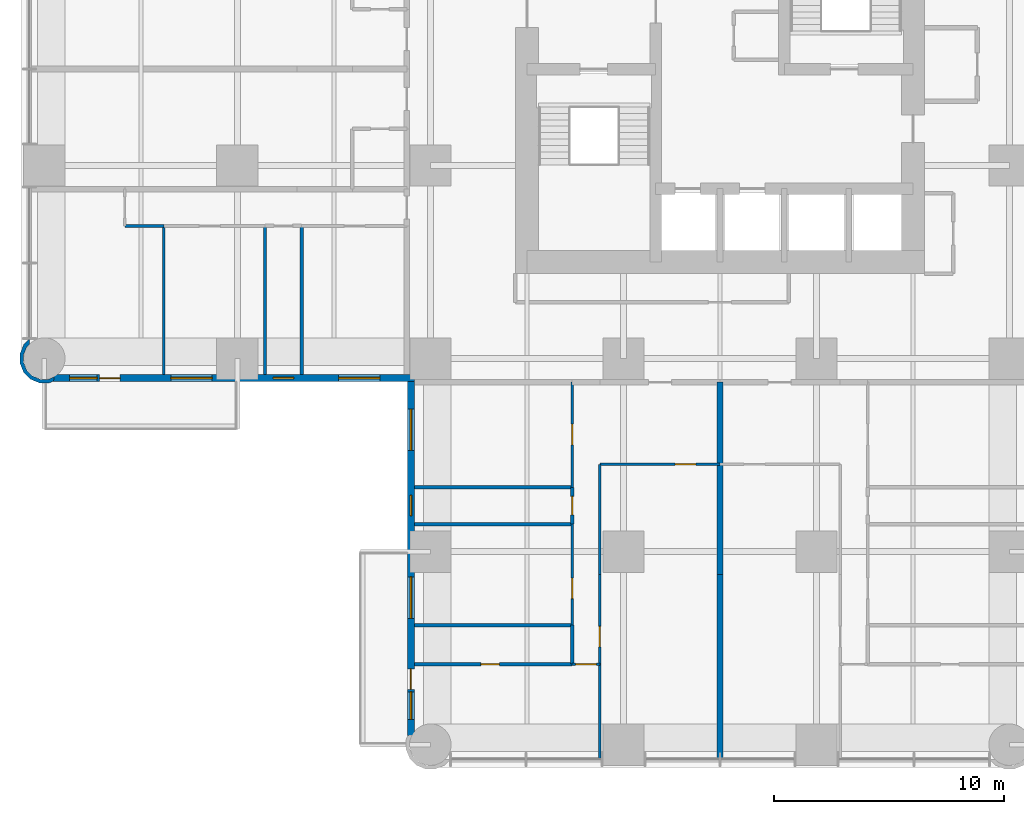
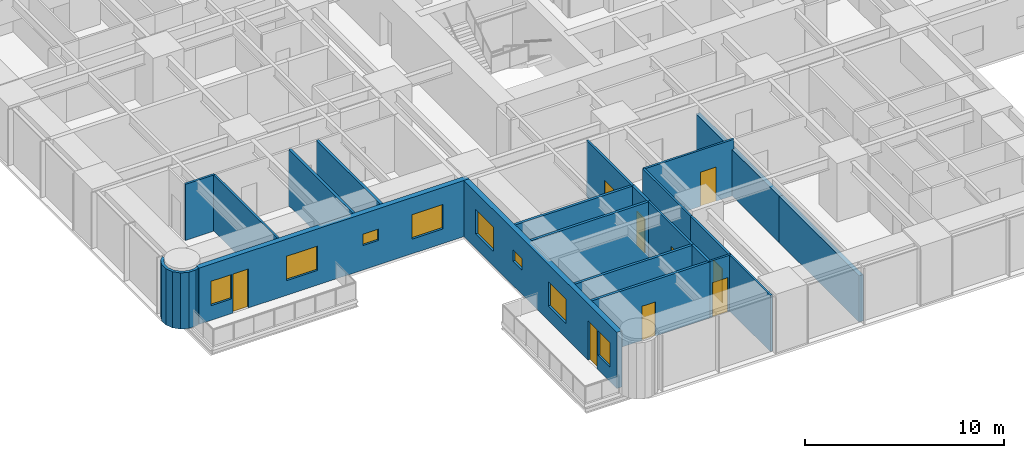
# One storey, part 7 of 17: 23 walls, 9 doors, 8 windows, 17 openings.
"""IFC4 building model written with IfcOpenShell, lengths in metres."""

from ifc_helpers import new_model, si_unit, direction, frame, frame_2d, origin, place, context, subcontext, project, spatial, polyline, rectangle, outline, extrude, material, layer, layer_set, type_object, element, fill, save


model = new_model("IFC4")

# Units and contexts
model_context = context("Model", 3, precision=1e-05, world=origin(), true_north=direction((0.0, 1.0)))
body_context = subcontext(model_context, "Body", "Model", "MODEL_VIEW")
ifc_project = project(units=[si_unit("LENGTHUNIT", "METRE"), si_unit("AREAUNIT", "SQUARE_METRE"), si_unit("VOLUMEUNIT", "CUBIC_METRE"), si_unit("PLANEANGLEUNIT", "RADIAN"), si_unit("MASSUNIT", "GRAM", prefix="KILO")], contexts=[model_context])

# Site, building, storey
site_placement = place(None, origin())
site = spatial("IfcSite", under=ifc_project, at=site_placement, CompositionType="ELEMENT")
building_placement = place(site_placement, origin())
building = spatial("IfcBuilding", under=site, at=building_placement, Name="Torre Alcanfor", CompositionType="ELEMENT")
storey_placement = place(building_placement, frame((0.0, 0.0, 77.699951171875)))
storey = spatial("IfcBuildingStorey", under=building, at=storey_placement, Name="L19", CompositionType="ELEMENT", Elevation=77.699951171875)

# Wall, opening, door
ifc_material_1 = material(Name="Gypsum board on steel studs", Category="steel")
ifc_layer_1 = layer(ifc_material_1, 0.1201171875)
ifc_layer_set_1 = layer_set([ifc_layer_1], Name="Apartment partition 120")
wall_type_1 = type_object("IfcWallType", Name="Apartment partition 120", PredefinedType="PARTITIONING", material=ifc_layer_set_1)
wall_1_placement = place(storey_placement, frame((29.39990234375, 12.199951171875, 0.0), z_axis=(0.0, 0.0, 1.0), x_axis=(-1.0, 0.0, 0.0)))
wall_1 = element("IfcWall", 1, at=wall_1_placement, inside=storey, type_object=wall_type_1, Name="Partition L19-S2-ZAG / L19-S2-KITCHEN", PredefinedType="PARTITIONING", context=body_context, shape_type="SweptSolid", body=[
    extrude(rectangle(XDim=5.22900390625, YDim=0.1201171875, at=frame_2d((2.614501953125, 0.0))), origin(), (0.0, 0.0, 1.0), 3.449951171875),
])
opening_1_placement = place(wall_1_placement, frame((1.050048828125, 0.0, 0.0)))
opening_1 = element("IfcOpeningElement", 2, at=opening_1_placement, cuts=wall_1, Name="Opening D-R1", PredefinedType="OPENING", context=body_context, shape_type="SweptSolid", body=[
    extrude(rectangle(XDim=0.89990234375, YDim=2.10009765625, at=frame_2d((0.449951171875, 1.050048828125))), frame((0.0, 0.070068359375, 0.0), z_axis=(0.0, -1.0, 0.0), x_axis=(1.0, 0.0, 0.0)), (0.0, 0.0, 1.0), 0.14013671875),
])
ifc_material_2 = material(Name="Timber", Category="wood")
door_type_1 = type_object("IfcDoorType", Name="Internal door 900x2100", OperationType="SINGLE_SWING_LEFT", PredefinedType="DOOR", material=ifc_material_2)
door_1_placement = place(opening_1_placement, origin())
door_1 = element("IfcDoor", 3, at=door_1_placement, inside=storey, type_object=door_type_1, Name="Door L19-S2 kitchen", OperationType="SINGLE_SWING_LEFT", OverallHeight=2.10009765625, OverallWidth=0.89990234375, PredefinedType="DOOR", context=body_context, shape_type="SweptSolid", body=[
    extrude(rectangle(XDim=0.89990234375, YDim=2.10009765625, at=frame_2d((0.449951171875, 1.050048828125))), frame((0.0, 0.02490234375, 0.0), z_axis=(0.0, -1.0, 0.0), x_axis=(1.0, 0.0, 0.0)), (0.0, 0.0, 1.0), 0.050048828125),
])
fill(opening_1, door_1)

# Wall
wall_2_placement = place(storey_placement, frame((24.1708984375, 7.39990234375, 0.0), z_axis=(0.0, 0.0, 1.0), x_axis=(0.0, 1.0, 0.0)))
element("IfcWall", 4, at=wall_2_placement, inside=storey, type_object=wall_type_1, Name="Partition L19-S2-KITCHEN / L19-S2-HALL", PredefinedType="PARTITIONING", context=body_context, shape_type="SweptSolid", body=[
    extrude(rectangle(XDim=4.800048828125, YDim=0.1201171875, at=frame_2d((2.39990234375, 0.0))), origin(), (0.0, 0.0, 1.0), 3.449951171875),
])

# Wall, opening, door
wall_3_placement = place(storey_placement, frame((24.1708984375, 3.5, 0.0), z_axis=(0.0, 0.0, 1.0), x_axis=(0.0, 1.0, 0.0)))
wall_3 = element("IfcWall", 5, at=wall_3_placement, inside=storey, type_object=wall_type_1, Name="Partition L19-S2-LIVING / L19-S2-HALL", PredefinedType="PARTITIONING", context=body_context, shape_type="SweptSolid", body=[
    extrude(rectangle(XDim=3.89990234375, YDim=0.1201171875, at=frame_2d((1.949951171875, 0.0))), origin(), (0.0, 0.0, 1.0), 3.449951171875),
])
opening_2_placement = place(wall_3_placement, frame((0.75, 0.0, 0.0)))
opening_2 = element("IfcOpeningElement", 6, at=opening_2_placement, cuts=wall_3, Name="Opening D-R1", PredefinedType="OPENING", context=body_context, shape_type="SweptSolid", body=[
    extrude(rectangle(XDim=0.89990234375, YDim=2.10009765625, at=frame_2d((0.449951171875, 1.050048828125))), frame((0.0, 0.070068359375, 0.0), z_axis=(0.0, -1.0, 0.0), x_axis=(1.0, 0.0, 0.0)), (0.0, 0.0, 1.0), 0.14013671875),
])
door_2_placement = place(opening_2_placement, frame((0.89990234375, 0.0, 0.0), z_axis=(0.0, 0.0, 1.0), x_axis=(-1.0, 0.0, 0.0)))
door_2 = element("IfcDoor", 7, at=door_2_placement, inside=storey, type_object=door_type_1, Name="Door L19-S2 living", OperationType="SINGLE_SWING_LEFT", OverallHeight=2.10009765625, OverallWidth=0.89990234375, PredefinedType="DOOR", context=body_context, shape_type="SweptSolid", body=[
    extrude(rectangle(XDim=0.89990234375, YDim=2.10009765625, at=frame_2d((0.449951171875, 1.050048828125))), frame((0.0, 0.025146484375, 0.0), z_axis=(0.0, -1.0, 0.0), x_axis=(1.0, 0.0, 0.0)), (0.0, 0.0, 1.0), 0.050048828125),
])
fill(opening_2, door_2)

# Wall
wall_4_placement = place(storey_placement, frame((24.1708984375, -0.64990234375, 0.0), z_axis=(0.0, 0.0, 1.0), x_axis=(0.0, 1.0, 0.0)))
element("IfcWall", 8, at=wall_4_placement, inside=storey, type_object=wall_type_1, Name="Partition L19-S2-LIVING / L19-S2-MASTER", PredefinedType="PARTITIONING", context=body_context, shape_type="SweptSolid", body=[
    extrude(rectangle(XDim=4.14990234375, YDim=0.1201171875, at=frame_2d((2.074951171875, 0.0))), origin(), (0.0, 0.0, 1.0), 3.449951171875),
])

# Wall, opening, door
wall_5_placement = place(storey_placement, frame((22.970947265625, 11.199951171875, 0.0), z_axis=(0.0, 0.0, 1.0), x_axis=(0.0, 1.0, 0.0)))
wall_5 = element("IfcWall", 9, at=wall_5_placement, inside=storey, type_object=wall_type_1, Name="Partition L19-S2-HALL / L19-S2-BED3", PredefinedType="PARTITIONING", context=body_context, shape_type="SweptSolid", body=[
    extrude(rectangle(XDim=4.574951171875, YDim=0.1201171875, at=frame_2d((2.28759765625, 0.0))), origin(), (0.0, 0.0, 1.0), 3.449951171875),
])
opening_3_placement = place(wall_5_placement, frame((1.85009765625, 0.0, 0.0)))
opening_3 = element("IfcOpeningElement", 10, at=opening_3_placement, cuts=wall_5, Name="Opening D-R1", PredefinedType="OPENING", context=body_context, shape_type="SweptSolid", body=[
    extrude(rectangle(XDim=0.89990234375, YDim=2.10009765625, at=frame_2d((0.449951171875, 1.050048828125))), frame((0.0, 0.070068359375, 0.0), z_axis=(0.0, -1.0, 0.0), x_axis=(1.0, 0.0, 0.0)), (0.0, 0.0, 1.0), 0.14013671875),
])
door_3_placement = place(opening_3_placement, origin())
door_3 = element("IfcDoor", 11, at=door_3_placement, inside=storey, type_object=door_type_1, Name="Door L19-S2 bed3", OperationType="SINGLE_SWING_RIGHT", OverallHeight=2.10009765625, OverallWidth=0.89990234375, PredefinedType="DOOR", context=body_context, shape_type="SweptSolid", body=[
    extrude(rectangle(XDim=0.89990234375, YDim=2.10009765625, at=frame_2d((0.449951171875, 1.050048828125))), frame((0.0, 0.02490234375, 0.0), z_axis=(0.0, -1.0, 0.0), x_axis=(1.0, 0.0, 0.0)), (0.0, 0.0, 1.0), 0.050048828125),
])
fill(opening_3, door_3)

wall_6_placement = place(storey_placement, frame((22.970947265625, 5.199951171875, 0.0), z_axis=(0.0, 0.0, 1.0), x_axis=(0.0, 1.0, 0.0)))
wall_6 = element("IfcWall", 12, at=wall_6_placement, inside=storey, type_object=wall_type_1, Name="Partition L19-S2-HALL / L19-S2-BED2", PredefinedType="PARTITIONING", context=body_context, shape_type="SweptSolid", body=[
    extrude(rectangle(XDim=4.400146484375, YDim=0.1201171875, at=frame_2d((2.2001953125, 0.0))), origin(), (0.0, 0.0, 1.0), 3.449951171875),
])
opening_4_placement = place(wall_6_placement, frame((1.14990234375, 0.0, 0.0)))
opening_4 = element("IfcOpeningElement", 13, at=opening_4_placement, cuts=wall_6, Name="Opening D-R1", PredefinedType="OPENING", context=body_context, shape_type="SweptSolid", body=[
    extrude(rectangle(XDim=0.89990234375, YDim=2.10009765625, at=frame_2d((0.449951171875, 1.050048828125))), frame((0.0, 0.070068359375, 0.0), z_axis=(0.0, -1.0, 0.0), x_axis=(1.0, 0.0, 0.0)), (0.0, 0.0, 1.0), 0.14013671875),
])
door_4_placement = place(opening_4_placement, origin())
door_4 = element("IfcDoor", 14, at=door_4_placement, inside=storey, type_object=door_type_1, Name="Door L19-S2 bed2", OperationType="SINGLE_SWING_LEFT", OverallHeight=2.10009765625, OverallWidth=0.89990234375, PredefinedType="DOOR", context=body_context, shape_type="SweptSolid", body=[
    extrude(rectangle(XDim=0.89990234375, YDim=2.10009765625, at=frame_2d((0.449951171875, 1.050048828125))), frame((0.0, 0.02490234375, 0.0), z_axis=(0.0, -1.0, 0.0), x_axis=(1.0, 0.0, 0.0)), (0.0, 0.0, 1.0), 0.050048828125),
])
fill(opening_4, door_4)

wall_7_placement = place(storey_placement, frame((24.1708984375, 3.5, 0.0), z_axis=(0.0, 0.0, 1.0), x_axis=(-1.0, 0.0, 0.0)))
wall_7 = element("IfcWall", 15, at=wall_7_placement, inside=storey, type_object=wall_type_1, Name="Partition L19-S2-HALL / L19-S2-MASTER", PredefinedType="PARTITIONING", context=body_context, shape_type="SweptSolid", body=[
    extrude(rectangle(XDim=1.199951171875, YDim=0.1201171875, at=frame_2d((0.60009765625, 0.0))), origin(), (0.0, 0.0, 1.0), 3.449951171875),
])
opening_5_placement = place(wall_7_placement, frame((0.15087890625, 0.0, 0.0)))
opening_5 = element("IfcOpeningElement", 16, at=opening_5_placement, cuts=wall_7, Name="Opening D-R1", PredefinedType="OPENING", context=body_context, shape_type="SweptSolid", body=[
    extrude(rectangle(XDim=0.89990234375, YDim=2.10009765625, at=frame_2d((0.449951171875, 1.050048828125))), frame((0.0, 0.070068359375, 0.0), z_axis=(0.0, -1.0, 0.0), x_axis=(1.0, 0.0, 0.0)), (0.0, 0.0, 1.0), 0.14013671875),
])
door_5_placement = place(opening_5_placement, origin())
door_5 = element("IfcDoor", 17, at=door_5_placement, inside=storey, type_object=door_type_1, Name="Door L19-S2 master", OperationType="SINGLE_SWING_LEFT", OverallHeight=2.10009765625, OverallWidth=0.89990234375, PredefinedType="DOOR", context=body_context, shape_type="SweptSolid", body=[
    extrude(rectangle(XDim=0.89990234375, YDim=2.10009765625, at=frame_2d((0.449951171875, 1.050048828125))), frame((0.0, 0.02490234375, 0.0), z_axis=(0.0, -1.0, 0.0), x_axis=(1.0, 0.0, 0.0)), (0.0, 0.0, 1.0), 0.050048828125),
])
fill(opening_5, door_5)

# Walls
wall_8_placement = place(storey_placement, frame((3.5, 22.571044921875, 0.0), z_axis=(0.0, 0.0, 1.0), x_axis=(1.0, 0.0, 0.0)))
element("IfcWall", 18, at=wall_8_placement, inside=storey, type_object=wall_type_1, Name="Partition L19-W1B-HALL / L19-W1B-KITCHEN", PredefinedType="PARTITIONING", context=body_context, shape_type="SweptSolid", body=[
    extrude(rectangle(XDim=1.699951171875, YDim=0.1201171875, at=frame_2d((0.85009765625, 0.0))), origin(), (0.0, 0.0, 1.0), 3.449951171875),
])
wall_9_placement = place(storey_placement, frame((5.199951171875, 22.571044921875, 0.0), z_axis=(0.0, 0.0, 1.0), x_axis=(0.0, -1.0, 0.0)))
element("IfcWall", 19, at=wall_9_placement, inside=storey, type_object=wall_type_1, Name="Partition L19-W1B-STUDY / L19-W1B-KITCHEN", PredefinedType="PARTITIONING", context=body_context, shape_type="SweptSolid", body=[
    extrude(rectangle(XDim=6.470947265625, YDim=0.1201171875, at=frame_2d((3.2353515625, 0.0))), origin(), (0.0, 0.0, 1.0), 3.449951171875),
])

# Wall, openings, door, windows
ifc_material_3 = material(Name="Limestone cladding", Category="masonry")
ifc_layer_2 = layer(ifc_material_3, 0.0400390625, Name="Facing")
ifc_material_4 = material(Name="Ventilated air cavity")
ifc_layer_3 = layer(ifc_material_4, 0.02001953125, ventilated=True, Name="Ventilated joint")
ifc_material_5 = material(Name="Mineral wool insulation", Category="insulation")
ifc_layer_4 = layer(ifc_material_5, 0.10009765625, Name="Insulation")
ifc_material_6 = material(Name="Concrete f'c 35 MPa", Category="concrete")
ifc_layer_5 = layer(ifc_material_6, 0.139892578125, Name="Backing")
ifc_layer_set_2 = layer_set([ifc_layer_2, ifc_layer_3, ifc_layer_4, ifc_layer_5], Name="External wall stone-clad 300")
wall_type_2 = type_object("IfcWallType", Name="External wall stone-clad 300", PredefinedType="SOLIDWALL", material=ifc_layer_set_2)
wall_10_placement = place(storey_placement, frame((0.39990234375, 15.949951171875, 0.0), z_axis=(0.0, 0.0, 1.0), x_axis=(1.0, 0.0, 0.0)))
wall_10 = element("IfcWall", 20, at=wall_10_placement, inside=storey, type_object=wall_type_2, Name="External wall L19 3", PredefinedType="SOLIDWALL", context=body_context, shape_type="SweptSolid", body=[
    extrude(rectangle(XDim=15.7001953125, YDim=0.300048828125, at=frame_2d((7.85009765625, 0.0))), origin(), (0.0, 0.0, 1.0), 3.449951171875),
])
opening_6_placement = place(wall_10_placement, frame((12.39990234375, 0.0, 0.89990234375)))
opening_6 = element("IfcOpeningElement", 21, at=opening_6_placement, cuts=wall_10, Name="Opening W2", PredefinedType="OPENING", context=body_context, shape_type="SweptSolid", body=[
    extrude(rectangle(XDim=1.800048828125, YDim=1.5, at=frame_2d((0.89990234375, 0.75))), frame((0.0, 0.159912109375, 0.0), z_axis=(0.0, -1.0, 0.0), x_axis=(1.0, 0.0, 0.0)), (0.0, 0.0, 1.0), 0.320068359375),
])
opening_7_placement = place(wall_10_placement, frame((9.550048828125, 0.0, 1.5)))
opening_7 = element("IfcOpeningElement", 22, at=opening_7_placement, cuts=wall_10, Name="Opening W3", PredefinedType="OPENING", context=body_context, shape_type="SweptSolid", body=[
    extrude(rectangle(XDim=0.89990234375, YDim=0.699951171875, at=frame_2d((0.449951171875, 0.35009765625))), frame((0.0, 0.159912109375, 0.0), z_axis=(0.0, -1.0, 0.0), x_axis=(1.0, 0.0, 0.0)), (0.0, 0.0, 1.0), 0.320068359375),
])
opening_8_placement = place(wall_10_placement, frame((5.10009765625, 0.0, 0.89990234375)))
opening_8 = element("IfcOpeningElement", 23, at=opening_8_placement, cuts=wall_10, Name="Opening W2", PredefinedType="OPENING", context=body_context, shape_type="SweptSolid", body=[
    extrude(rectangle(XDim=1.800048828125, YDim=1.5, at=frame_2d((0.89990234375, 0.75))), frame((0.0, 0.159912109375, 0.0), z_axis=(0.0, -1.0, 0.0), x_axis=(1.0, 0.0, 0.0)), (0.0, 0.0, 1.0), 0.320068359375),
])
opening_9_placement = place(wall_10_placement, frame((2.0, 0.0, 0.0)))
opening_9 = element("IfcOpeningElement", 24, at=opening_9_placement, cuts=wall_10, Name="Opening D-B1", PredefinedType="OPENING", context=body_context, shape_type="SweptSolid", body=[
    extrude(rectangle(XDim=0.89990234375, YDim=2.39990234375, at=frame_2d((0.449951171875, 1.199951171875))), frame((0.0, 0.159912109375, 0.0), z_axis=(0.0, -1.0, 0.0), x_axis=(1.0, 0.0, 0.0)), (0.0, 0.0, 1.0), 0.320068359375),
])
opening_10_placement = place(wall_10_placement, frame((0.699951171875, 0.0, 0.89990234375)))
opening_10 = element("IfcOpeningElement", 25, at=opening_10_placement, cuts=wall_10, Name="Opening W4", PredefinedType="OPENING", context=body_context, shape_type="SweptSolid", body=[
    extrude(rectangle(XDim=1.199951171875, YDim=1.5, at=frame_2d((0.60009765625, 0.75))), frame((0.0, 0.159912109375, 0.0), z_axis=(0.0, -1.0, 0.0), x_axis=(1.0, 0.0, 0.0)), (0.0, 0.0, 1.0), 0.320068359375),
])
ifc_material_7 = material(Name="Aluminium and glass", Category="aluminium")
door_type_2 = type_object("IfcDoorType", Name="Balcony door glazed 900x2400", OperationType="SINGLE_SWING_LEFT", PredefinedType="DOOR", material=ifc_material_7)
door_6_placement = place(opening_9_placement, origin())
door_6 = element("IfcDoor", 26, at=door_6_placement, inside=storey, type_object=door_type_2, Name="Balcony door L19-W1", OperationType="SINGLE_SWING_RIGHT", OverallHeight=2.39990234375, OverallWidth=0.89990234375, PredefinedType="DOOR", context=body_context, shape_type="SweptSolid", body=[
    extrude(rectangle(XDim=0.89990234375, YDim=2.39990234375, at=frame_2d((0.449951171875, 1.199951171875))), frame((0.0, 0.02490234375, 0.0), z_axis=(0.0, -1.0, 0.0), x_axis=(1.0, 0.0, 0.0)), (0.0, 0.0, 1.0), 0.050048828125),
])
fill(opening_9, door_6)
ifc_material_8 = material(Name="Aluminium frame with clear double glazing", Category="aluminium")
window_type_1 = type_object("IfcWindowType", Name="Window bathroom 900x700", PartitioningType="SINGLE_PANEL", PredefinedType="WINDOW", material=ifc_material_8)
window_1_placement = place(opening_7_placement, origin())
window_1 = element("IfcWindow", 27, at=window_1_placement, inside=storey, type_object=window_type_1, Name="Window W3 L19-W1", OverallHeight=0.699951171875, OverallWidth=0.89990234375, PartitioningType="SINGLE_PANEL", PredefinedType="WINDOW", context=body_context, shape_type="SweptSolid", body=[
    extrude(rectangle(XDim=0.89990234375, YDim=0.699951171875, at=frame_2d((0.449951171875, 0.35009765625))), frame((0.0, 0.030029296875, 0.0), z_axis=(0.0, -1.0, 0.0), x_axis=(1.0, 0.0, 0.0)), (0.0, 0.0, 1.0), 0.06005859375),
])
fill(opening_7, window_1)
ifc_material_9 = material(Name="Aluminium frame with clear double glazing", Category="aluminium")
window_type_2 = type_object("IfcWindowType", Name="Window bedroom 1200x1500", PartitioningType="SINGLE_PANEL", PredefinedType="WINDOW", material=ifc_material_9)
window_2_placement = place(opening_10_placement, origin())
window_2 = element("IfcWindow", 28, at=window_2_placement, inside=storey, type_object=window_type_2, Name="Window W4 L19-W1", OverallHeight=1.5, OverallWidth=1.199951171875, PartitioningType="SINGLE_PANEL", PredefinedType="WINDOW", context=body_context, shape_type="SweptSolid", body=[
    extrude(rectangle(XDim=1.199951171875, YDim=1.5, at=frame_2d((0.60009765625, 0.75))), frame((0.0, 0.030029296875, 0.0), z_axis=(0.0, -1.0, 0.0), x_axis=(1.0, 0.0, 0.0)), (0.0, 0.0, 1.0), 0.06005859375),
])
fill(opening_10, window_2)
ifc_material_10 = material(Name="Aluminium frame with clear double glazing", Category="aluminium")
window_type_3 = type_object("IfcWindowType", Name="Window bedroom 1800x1500", PartitioningType="SINGLE_PANEL", PredefinedType="WINDOW", material=ifc_material_10)
window_3_placement = place(opening_6_placement, origin())
window_3 = element("IfcWindow", 29, at=window_3_placement, inside=storey, type_object=window_type_3, Name="Window W2 L19-W1", OverallHeight=1.5, OverallWidth=1.800048828125, PartitioningType="SINGLE_PANEL", PredefinedType="WINDOW", context=body_context, shape_type="SweptSolid", body=[
    extrude(rectangle(XDim=1.800048828125, YDim=1.5, at=frame_2d((0.89990234375, 0.75))), frame((0.0, 0.030029296875, 0.0), z_axis=(0.0, -1.0, 0.0), x_axis=(1.0, 0.0, 0.0)), (0.0, 0.0, 1.0), 0.06005859375),
])
fill(opening_6, window_3)
window_4_placement = place(opening_8_placement, origin())
window_4 = element("IfcWindow", 30, at=window_4_placement, inside=storey, type_object=window_type_3, Name="Window W2 L19-W1", OverallHeight=1.5, OverallWidth=1.800048828125, PartitioningType="SINGLE_PANEL", PredefinedType="WINDOW", context=body_context, shape_type="SweptSolid", body=[
    extrude(rectangle(XDim=1.800048828125, YDim=1.5, at=frame_2d((0.89990234375, 0.75))), frame((0.0, 0.030029296875, 0.0), z_axis=(0.0, -1.0, 0.0), x_axis=(1.0, 0.0, 0.0)), (0.0, 0.0, 1.0), 0.06005859375),
])
fill(opening_8, window_4)

wall_11_placement = place(storey_placement, frame((15.949951171875, 15.800048828125, 0.0), z_axis=(0.0, 0.0, 1.0), x_axis=(0.0, -1.0, 0.0)))
wall_11 = element("IfcWall", 31, at=wall_11_placement, inside=storey, type_object=wall_type_2, Name="External wall L19 4", PredefinedType="SOLIDWALL", context=body_context, shape_type="SweptSolid", body=[
    extrude(rectangle(XDim=15.400146484375, YDim=0.300048828125, at=frame_2d((7.7001953125, 0.0))), origin(), (0.0, 0.0, 1.0), 3.449951171875),
])
opening_11_placement = place(wall_11_placement, frame((1.199951171875, 0.0, 0.89990234375)))
opening_11 = element("IfcOpeningElement", 32, at=opening_11_placement, cuts=wall_11, Name="Opening W2", PredefinedType="OPENING", context=body_context, shape_type="SweptSolid", body=[
    extrude(rectangle(XDim=1.800048828125, YDim=1.5, at=frame_2d((0.89990234375, 0.75))), frame((0.0, 0.159912109375, 0.0), z_axis=(0.0, -1.0, 0.0), x_axis=(1.0, 0.0, 0.0)), (0.0, 0.0, 1.0), 0.320068359375),
])
opening_12_placement = place(wall_11_placement, frame((4.949951171875, 0.0, 1.5)))
opening_12 = element("IfcOpeningElement", 33, at=opening_12_placement, cuts=wall_11, Name="Opening W3", PredefinedType="OPENING", context=body_context, shape_type="SweptSolid", body=[
    extrude(rectangle(XDim=0.89990234375, YDim=0.699951171875, at=frame_2d((0.449951171875, 0.35009765625))), frame((0.0, 0.159912109375, 0.0), z_axis=(0.0, -1.0, 0.0), x_axis=(1.0, 0.0, 0.0)), (0.0, 0.0, 1.0), 0.320068359375),
])
opening_13_placement = place(wall_11_placement, frame((8.5, 0.0, 0.89990234375)))
opening_13 = element("IfcOpeningElement", 34, at=opening_13_placement, cuts=wall_11, Name="Opening W2", PredefinedType="OPENING", context=body_context, shape_type="SweptSolid", body=[
    extrude(rectangle(XDim=1.800048828125, YDim=1.5, at=frame_2d((0.89990234375, 0.75))), frame((0.0, 0.159912109375, 0.0), z_axis=(0.0, -1.0, 0.0), x_axis=(1.0, 0.0, 0.0)), (0.0, 0.0, 1.0), 0.320068359375),
])
opening_14_placement = place(wall_11_placement, frame((12.5, 0.0, 0.0)))
opening_14 = element("IfcOpeningElement", 35, at=opening_14_placement, cuts=wall_11, Name="Opening D-B1", PredefinedType="OPENING", context=body_context, shape_type="SweptSolid", body=[
    extrude(rectangle(XDim=0.89990234375, YDim=2.39990234375, at=frame_2d((0.449951171875, 1.199951171875))), frame((0.0, 0.159912109375, 0.0), z_axis=(0.0, -1.0, 0.0), x_axis=(1.0, 0.0, 0.0)), (0.0, 0.0, 1.0), 0.320068359375),
])
opening_15_placement = place(wall_11_placement, frame((13.5, 0.0, 0.89990234375)))
opening_15 = element("IfcOpeningElement", 36, at=opening_15_placement, cuts=wall_11, Name="Opening W4", PredefinedType="OPENING", context=body_context, shape_type="SweptSolid", body=[
    extrude(rectangle(XDim=1.199951171875, YDim=1.5, at=frame_2d((0.60009765625, 0.75))), frame((0.0, 0.159912109375, 0.0), z_axis=(0.0, -1.0, 0.0), x_axis=(1.0, 0.0, 0.0)), (0.0, 0.0, 1.0), 0.320068359375),
])
door_7_placement = place(opening_14_placement, origin())
door_7 = element("IfcDoor", 37, at=door_7_placement, inside=storey, type_object=door_type_2, Name="Balcony door L19-S2", OperationType="SINGLE_SWING_LEFT", OverallHeight=2.39990234375, OverallWidth=0.89990234375, PredefinedType="DOOR", context=body_context, shape_type="SweptSolid", body=[
    extrude(rectangle(XDim=0.89990234375, YDim=2.39990234375, at=frame_2d((0.449951171875, 1.199951171875))), frame((0.0, 0.02490234375, 0.0), z_axis=(0.0, -1.0, 0.0), x_axis=(1.0, 0.0, 0.0)), (0.0, 0.0, 1.0), 0.050048828125),
])
fill(opening_14, door_7)
window_5_placement = place(opening_12_placement, origin())
window_5 = element("IfcWindow", 38, at=window_5_placement, inside=storey, type_object=window_type_1, Name="Window W3 L19-S2", OverallHeight=0.699951171875, OverallWidth=0.89990234375, PartitioningType="SINGLE_PANEL", PredefinedType="WINDOW", context=body_context, shape_type="SweptSolid", body=[
    extrude(rectangle(XDim=0.89990234375, YDim=0.699951171875, at=frame_2d((0.449951171875, 0.35009765625))), frame((0.0, 0.030029296875, 0.0), z_axis=(0.0, -1.0, 0.0), x_axis=(1.0, 0.0, 0.0)), (0.0, 0.0, 1.0), 0.06005859375),
])
fill(opening_12, window_5)
window_6_placement = place(opening_15_placement, origin())
window_6 = element("IfcWindow", 39, at=window_6_placement, inside=storey, type_object=window_type_2, Name="Window W4 L19-S2", OverallHeight=1.5, OverallWidth=1.199951171875, PartitioningType="SINGLE_PANEL", PredefinedType="WINDOW", context=body_context, shape_type="SweptSolid", body=[
    extrude(rectangle(XDim=1.199951171875, YDim=1.5, at=frame_2d((0.60009765625, 0.75))), frame((0.0, 0.030029296875, 0.0), z_axis=(0.0, -1.0, 0.0), x_axis=(1.0, 0.0, 0.0)), (0.0, 0.0, 1.0), 0.06005859375),
])
fill(opening_15, window_6)
window_7_placement = place(opening_11_placement, origin())
window_7 = element("IfcWindow", 40, at=window_7_placement, inside=storey, type_object=window_type_3, Name="Window W2 L19-S2", OverallHeight=1.5, OverallWidth=1.800048828125, PartitioningType="SINGLE_PANEL", PredefinedType="WINDOW", context=body_context, shape_type="SweptSolid", body=[
    extrude(rectangle(XDim=1.800048828125, YDim=1.5, at=frame_2d((0.89990234375, 0.75))), frame((0.0, 0.030029296875, 0.0), z_axis=(0.0, -1.0, 0.0), x_axis=(1.0, 0.0, 0.0)), (0.0, 0.0, 1.0), 0.06005859375),
])
fill(opening_11, window_7)
window_8_placement = place(opening_13_placement, origin())
window_8 = element("IfcWindow", 41, at=window_8_placement, inside=storey, type_object=window_type_3, Name="Window W2 L19-S2", OverallHeight=1.5, OverallWidth=1.800048828125, PartitioningType="SINGLE_PANEL", PredefinedType="WINDOW", context=body_context, shape_type="SweptSolid", body=[
    extrude(rectangle(XDim=1.800048828125, YDim=1.5, at=frame_2d((0.89990234375, 0.75))), frame((0.0, 0.030029296875, 0.0), z_axis=(0.0, -1.0, 0.0), x_axis=(1.0, 0.0, 0.0)), (0.0, 0.0, 1.0), 0.06005859375),
])
fill(opening_13, window_8)

# Walls
ifc_material_11 = material(Name="Concrete block masonry, hollow blocks NMX-C-404 9 MPa", Category="masonry")
ifc_layer_6 = layer(ifc_material_11, 0.25)
ifc_layer_set_3 = layer_set([ifc_layer_6], Name="Party wall 250 EI 60")
wall_type_3 = type_object("IfcWallType", Name="Party wall 250 EI 60", PredefinedType="PARTITIONING", material=ifc_layer_set_3)
wall_12_placement = place(storey_placement, frame((29.39990234375, 15.77490234375, 0.0), z_axis=(0.0, 0.0, 1.0), x_axis=(0.0, -1.0, 0.0)))
element("IfcWall", 42, at=wall_12_placement, inside=storey, type_object=wall_type_3, Name="Partition L19-S1-ZAG / L19-S2-ZAG", PredefinedType="PARTITIONING", context=body_context, shape_type="SweptSolid", body=[
    extrude(rectangle(XDim=3.574951171875, YDim=0.25, at=frame_2d((1.78759765625, 0.0))), origin(), (0.0, 0.0, 1.0), 2.84814453125),
])
wall_13_placement = place(storey_placement, frame((29.39990234375, 12.199951171875, 0.0), z_axis=(0.0, 0.0, 1.0), x_axis=(0.0, -1.0, 0.0)))
element("IfcWall", 43, at=wall_13_placement, inside=storey, type_object=wall_type_3, Name="Partition L19-S1-KITCHEN / L19-S2-KITCHEN", PredefinedType="PARTITIONING", context=body_context, shape_type="SweptSolid", body=[
    extrude(rectangle(XDim=4.800048828125, YDim=0.25, at=frame_2d((2.39990234375, 0.0))), origin(), (0.0, 0.0, 1.0), 2.84814453125),
])
wall_14_placement = place(storey_placement, frame((29.39990234375, 7.39990234375, 0.0), z_axis=(0.0, 0.0, 1.0), x_axis=(0.0, -1.0, 0.0)))
element("IfcWall", 44, at=wall_14_placement, inside=storey, type_object=wall_type_3, Name="Partition L19-S1-LIVING / L19-S2-LIVING", PredefinedType="PARTITIONING", context=body_context, shape_type="SweptSolid", body=[
    extrude(rectangle(XDim=8.0498046875, YDim=0.25, at=frame_2d((4.02490234375, 0.0))), origin(), (0.0, 0.0, 1.0), 2.84814453125),
])
ifc_layer_7 = layer(ifc_material_3, 0.0400390625, Name="Facing")
ifc_layer_8 = layer(ifc_material_4, 0.02001953125, ventilated=True, Name="Ventilated joint")
ifc_layer_9 = layer(ifc_material_5, 0.10009765625, Name="Insulation")
ifc_layer_10 = layer(ifc_material_6, 0.139892578125, Name="Backing")
ifc_layer_set_4 = layer_set([ifc_layer_7, ifc_layer_8, ifc_layer_9, ifc_layer_10], Name="Rounded corner pier stone-clad 300")
wall_type_4 = type_object("IfcWallType", Name="Rounded corner pier stone-clad 300", PredefinedType="SOLIDWALL", material=ifc_layer_set_4)
wall_15_placement = place(storey_placement, frame((-0.610519256, 17.56659392, 0.0), z_axis=(0.0, 0.0, 1.0), x_axis=(-0.926129809145, -0.377204953059, 0.0)))
element("IfcWall", 45, at=wall_15_placement, inside=storey, type_object=wall_type_4, Name="Corner pier L19 14", PredefinedType="SOLIDWALL", context=body_context, shape_type="SweptSolid", body=[
    extrude(outline(polyline([(-0.2694320048751383, 2.0171861008885523), (-0.3700526678318482, 1.8406866495551875), (-0.10232913830325796, 1.8423628952563784), (0.22959433821660935, 1.7071732294627), (0.4846648868960458, 1.4551341488862783), (0.6237723089217844, 1.1248457008471362), (0.6256501657648526, 0.7663568996565957), (0.49046049997117414, 0.4344334231367283), (0.2387396163581813, 0.17949688931473468), (0.09014163443691028, 0.11691195088889664), (0.010851237809964043, -0.07776523799639344), (0.024417592436116662, -0.08329070117597158), (0.32956848036437986, 0.045229547111777235), (0.4801338191951393, 0.19743274075920003), (0.4990091877024963, 0.1926447125875501), (0.5075557555746872, 0.2252788612711387), (0.6260018077392729, 0.3452223941390844), (0.7850430562581303, 0.7357073014618439), (0.782472278983801, 1.15721841463542), (0.6187061231885674, 1.5460551039454697), (0.3187132761612602, 1.8424884313203629), (-0.07154552525106339, 2.0014375887862275), (-0.2401131340992967, 2.00049972024067), (-0.2694320048751383, 2.0171861008885523)])), origin(), (0.0, 0.0, 1.0), 3.449951171875),
])

# Wall, opening, door
ifc_material_12 = material(Name="Cement board on steel studs", Category="steel")
ifc_layer_11 = layer(ifc_material_12, 0.14990234375)
ifc_layer_set_5 = layer_set([ifc_layer_11], Name="Wet area partition 150")
wall_type_5 = type_object("IfcWallType", Name="Wet area partition 150", PredefinedType="PARTITIONING", material=ifc_layer_set_5)
wall_16_placement = place(storey_placement, frame((22.970947265625, 9.60009765625, 0.0), z_axis=(0.0, 0.0, 1.0), x_axis=(0.0, 1.0, 0.0)))
wall_16 = element("IfcWall", 46, at=wall_16_placement, inside=storey, type_object=wall_type_5, Name="Partition L19-S2-HALL / L19-S2-BATH1", PredefinedType="PARTITIONING", context=body_context, shape_type="SweptSolid", body=[
    extrude(rectangle(XDim=1.599853515625, YDim=0.14990234375, at=frame_2d((0.7998046875, 0.0))), origin(), (0.0, 0.0, 1.0), 3.449951171875),
])
opening_16_placement = place(wall_16_placement, frame((0.39990234375, 0.0, 0.0)))
opening_16 = element("IfcOpeningElement", 47, at=opening_16_placement, cuts=wall_16, Name="Opening D-R2", PredefinedType="OPENING", context=body_context, shape_type="SweptSolid", body=[
    extrude(rectangle(XDim=0.800048828125, YDim=2.10009765625, at=frame_2d((0.39990234375, 1.050048828125))), frame((0.0, 0.0849609375, 0.0), z_axis=(0.0, -1.0, 0.0), x_axis=(1.0, 0.0, 0.0)), (0.0, 0.0, 1.0), 0.169921875),
])
ifc_material_13 = material(Name="Timber", Category="wood")
door_type_3 = type_object("IfcDoorType", Name="Bathroom door 800x2100", OperationType="SINGLE_SWING_LEFT", PredefinedType="DOOR", material=ifc_material_13)
door_8_placement = place(opening_16_placement, origin())
door_8 = element("IfcDoor", 48, at=door_8_placement, inside=storey, type_object=door_type_3, Name="Door L19-S2 bath1", OperationType="SINGLE_SWING_LEFT", OverallHeight=2.10009765625, OverallWidth=0.800048828125, PredefinedType="DOOR", context=body_context, shape_type="SweptSolid", body=[
    extrude(rectangle(XDim=0.800048828125, YDim=2.10009765625, at=frame_2d((0.39990234375, 1.050048828125))), frame((0.0, 0.02490234375, 0.0), z_axis=(0.0, -1.0, 0.0), x_axis=(1.0, 0.0, 0.0)), (0.0, 0.0, 1.0), 0.050048828125),
])
fill(opening_16, door_8)

# Walls
wall_17_placement = place(storey_placement, frame((22.970947265625, 3.5, 0.0), z_axis=(0.0, 0.0, 1.0), x_axis=(0.0, 1.0, 0.0)))
element("IfcWall", 49, at=wall_17_placement, inside=storey, type_object=wall_type_5, Name="Partition L19-S2-HALL / L19-S2-ENSBATH", PredefinedType="PARTITIONING", context=body_context, shape_type="SweptSolid", body=[
    extrude(rectangle(XDim=1.699951171875, YDim=0.14990234375, at=frame_2d((0.85009765625, 0.0))), origin(), (0.0, 0.0, 1.0), 3.449951171875),
])
for number, where, z_axis, x_axis, name in (
    (50, (22.970947265625, 11.199951171875, 0.0), (0.0, 0.0, 1.0), (-1.0, 0.0, 0.0), "Partition L19-S2-BED3 / L19-S2-BATH1"),
    (51, (22.970947265625, 9.60009765625, 0.0), (0.0, 0.0, 1.0), (-1.0, 0.0, 0.0), "Partition L19-S2-BATH1 / L19-S2-BED2"),
    (52, (22.970947265625, 5.199951171875, 0.0), (0.0, 0.0, 1.0), (-1.0, 0.0, 0.0), "Partition L19-S2-BED2 / L19-S2-ENSBATH"),
):
    element("IfcWall", number, at=place(storey_placement, frame(where, z_axis=z_axis, x_axis=x_axis)), inside=storey, type_object=wall_type_5, Name=name, PredefinedType="PARTITIONING", context=body_context, shape_type="SweptSolid", body=[
        extrude(rectangle(XDim=6.870849609375, YDim=0.14990234375, at=frame_2d((3.435546875, 0.0))), origin(), (0.0, 0.0, 1.0), 3.449951171875),
    ])

# Wall, opening, door
wall_18_placement = place(storey_placement, frame((22.970947265625, 3.5, 0.0), z_axis=(0.0, 0.0, 1.0), x_axis=(-1.0, 0.0, 0.0)))
wall_18 = element("IfcWall", 53, at=wall_18_placement, inside=storey, type_object=wall_type_5, Name="Partition L19-S2-ENSBATH / L19-S2-MASTER", PredefinedType="PARTITIONING", context=body_context, shape_type="SweptSolid", body=[
    extrude(rectangle(XDim=6.870849609375, YDim=0.14990234375, at=frame_2d((3.435546875, 0.0))), origin(), (0.0, 0.0, 1.0), 3.449951171875),
])
opening_17_placement = place(wall_18_placement, frame((3.1708984375, 0.0, 0.0)))
opening_17 = element("IfcOpeningElement", 54, at=opening_17_placement, cuts=wall_18, Name="Opening D-R2", PredefinedType="OPENING", context=body_context, shape_type="SweptSolid", body=[
    extrude(rectangle(XDim=0.800048828125, YDim=2.10009765625, at=frame_2d((0.39990234375, 1.050048828125))), frame((0.0, 0.0849609375, 0.0), z_axis=(0.0, -1.0, 0.0), x_axis=(1.0, 0.0, 0.0)), (0.0, 0.0, 1.0), 0.169921875),
])
door_9_placement = place(opening_17_placement, frame((0.800048828125, 0.0, 0.0), z_axis=(0.0, 0.0, 1.0), x_axis=(-1.0, 0.0, 0.0)))
door_9 = element("IfcDoor", 55, at=door_9_placement, inside=storey, type_object=door_type_3, Name="Door L19-S2 ensbath", OperationType="SINGLE_SWING_LEFT", OverallHeight=2.10009765625, OverallWidth=0.800048828125, PredefinedType="DOOR", context=body_context, shape_type="SweptSolid", body=[
    extrude(rectangle(XDim=0.800048828125, YDim=2.10009765625, at=frame_2d((0.400146484375, 1.050048828125))), frame((0.0, 0.025146484375, 0.0), z_axis=(0.0, -1.0, 0.0), x_axis=(1.0, 0.0, 0.0)), (0.0, 0.0, 1.0), 0.050048828125),
])
fill(opening_17, door_9)

# Walls
for number, where, z_axis, x_axis, name in (
    (56, (11.199951171875, 22.571044921875, 0.0), (0.0, 0.0, 1.0), (0.0, -1.0, 0.0), "Partition L19-W1B-MASTER / L19-W1B-BATH"),
    (57, (9.60009765625, 22.571044921875, 0.0), (0.0, 0.0, 1.0), (0.0, -1.0, 0.0), "Partition L19-W1B-BATH / L19-W1B-STUDY"),
):
    element("IfcWall", number, at=place(storey_placement, frame(where, z_axis=z_axis, x_axis=x_axis)), inside=storey, type_object=wall_type_5, Name=name, PredefinedType="PARTITIONING", context=body_context, shape_type="SweptSolid", body=[
        extrude(rectangle(XDim=6.470947265625, YDim=0.14990234375, at=frame_2d((3.2353515625, 0.0))), origin(), (0.0, 0.0, 1.0), 3.449951171875),
    ])

save(model, "model.ifc")
